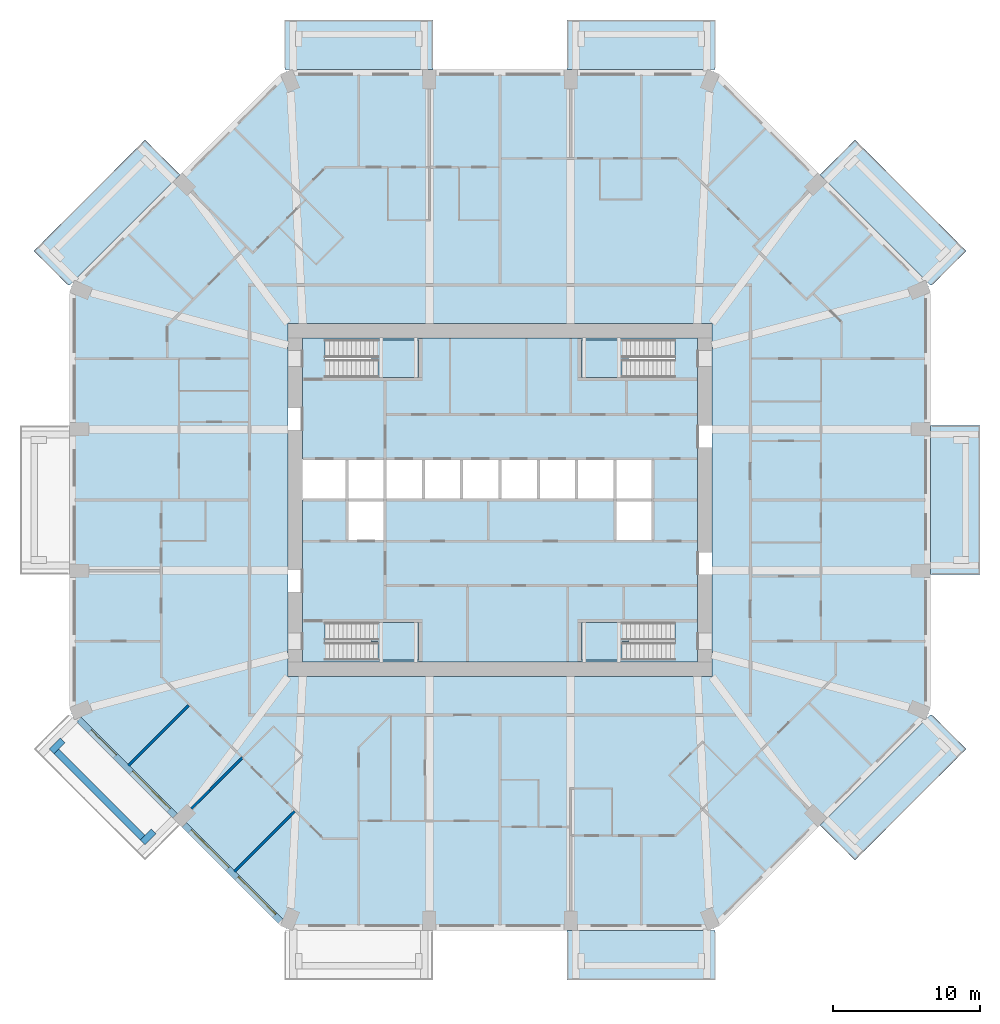
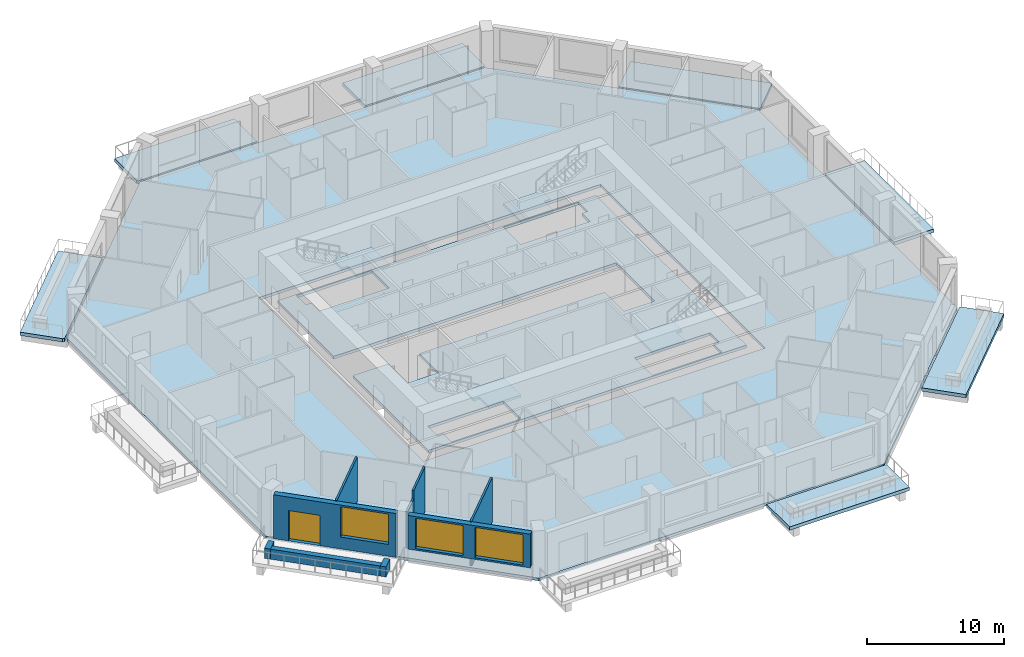
# One storey, part 2 of 13: 13 slabs, 9 walls, 3 windows, 1 door, 4 openings, 4 elements without a shape of their own.
"""IFC4 building model written with IfcOpenShell, lengths in metres."""

from ifc_helpers import new_model, si_unit, direction, frame, frame_2d, origin, place, context, subcontext, project, spatial, polyline, rectangle, outline, extrude, material, layer, layer_set, type_object, element, fill, aggregate, save


model = new_model("IFC4")

# Units and contexts
model_context = context("Model", 3, precision=1e-05, world=origin(), true_north=direction((0.0, 1.0)))
body_context = subcontext(model_context, "Body", "Model", "MODEL_VIEW")
ifc_project = project(units=[si_unit("LENGTHUNIT", "METRE"), si_unit("AREAUNIT", "SQUARE_METRE"), si_unit("VOLUMEUNIT", "CUBIC_METRE"), si_unit("PLANEANGLEUNIT", "RADIAN"), si_unit("MASSUNIT", "GRAM", prefix="KILO")], contexts=[model_context])

# Site, building, storey
site_placement = place(None, origin())
site = spatial("IfcSite", under=ifc_project, at=site_placement, CompositionType="ELEMENT")
building_placement = place(site_placement, origin())
building = spatial("IfcBuilding", under=site, at=building_placement, Name="Msitu Wima Residences", CompositionType="ELEMENT")
storey_placement = place(building_placement, frame((0.0, 0.0, 42.300048828125)))
storey = spatial("IfcBuildingStorey", under=building, at=storey_placement, Name="L09", CompositionType="ELEMENT", Elevation=42.300048828125)

# Slabs
ifc_material_1 = material(Name="Concrete C40/50", Category="concrete")
ifc_layer_1 = layer(ifc_material_1, 0.300048828125)
ifc_layer_set_1 = layer_set([ifc_layer_1], Name="Concrete C40/50")
slab_type_1 = type_object("IfcSlabType", Name="Balcony slab BS300", PredefinedType="FLOOR", material=ifc_layer_set_1)
slab_1_placement = place(storey_placement, frame((0.0, 0.0, -0.300048828125)))
element("IfcSlab", 1, at=slab_1_placement, inside=storey, type_object=slab_type_1, Name="Balcony E1 L09", PredefinedType="FLOOR", context=body_context, shape_type="SweptSolid", body=[
    extrude(outline(polyline([(29.25, -4.35009765625), (29.25, 4.35009765625), (29.25, 5.050048828125), (32.60009765625, 5.050048828125), (32.60009765625, -5.050048828125), (29.25, -5.050048828125), (29.25, -4.35009765625)])), origin(), (0.0, 0.0, 1.0), 0.300048828125),
])
slab_2_placement = place(storey_placement, frame((0.0, 0.0, -0.300048828125)))
element("IfcSlab", 2, at=slab_2_placement, inside=storey, type_object=slab_type_1, Name="Balcony NE0 L09", PredefinedType="FLOOR", context=body_context, shape_type="SweptSolid", body=[
    extrude(outline(polyline([(24.1103515625, 24.4638671875), (31.663818359375, 16.91015625), (29.403564453125, 14.64990234375), (29.25, 14.58642578125), (21.741455078125, 22.094970703125), (24.1103515625, 24.4638671875)])), origin(), (0.0, 0.0, 1.0), 0.300048828125),
])
slab_3_placement = place(storey_placement, frame((0.0, 0.0, -0.300048828125)))
element("IfcSlab", 3, at=slab_3_placement, inside=storey, type_object=slab_type_1, Name="Balcony N0 L09", PredefinedType="FLOOR", context=body_context, shape_type="SweptSolid", body=[
    extrude(outline(polyline([(14.099365234375, 29.25), (14.099365234375, 29.25), (5.25, 29.25), (4.550048828125, 29.25), (4.550048828125, 32.60009765625), (14.64990234375, 32.60009765625), (14.64990234375, 29.403564453125), (14.58642578125, 29.25), (14.099365234375, 29.25), (14.099365234375, 29.25)])), origin(), (0.0, 0.0, 1.0), 0.300048828125),
])
slab_4_placement = place(storey_placement, frame((0.0, 0.0, -0.300048828125)))
element("IfcSlab", 4, at=slab_4_placement, inside=storey, type_object=slab_type_1, Name="Balcony N2 L09", PredefinedType="FLOOR", context=body_context, shape_type="SweptSolid", body=[
    extrude(outline(polyline([(-14.099365234375, 29.25), (-14.099365234375, 29.25), (-14.099365234375, 29.25), (-14.58642578125, 29.25), (-14.64990234375, 29.403564453125), (-14.64990234375, 32.60009765625), (-4.550048828125, 32.60009765625), (-4.550048828125, 29.25), (-5.25, 29.25), (-14.099365234375, 29.25)])), origin(), (0.0, 0.0, 1.0), 0.300048828125),
])
slab_5_placement = place(storey_placement, frame((0.0, 0.0, -0.300048828125)))
element("IfcSlab", 5, at=slab_5_placement, inside=storey, type_object=slab_type_1, Name="Balcony NW1 L09", PredefinedType="FLOOR", context=body_context, shape_type="SweptSolid", body=[
    extrude(outline(polyline([(-31.663818359375, 16.91015625), (-24.1103515625, 24.4638671875), (-21.741455078125, 22.094970703125), (-29.25, 14.58642578125), (-29.403564453125, 14.64990234375), (-31.663818359375, 16.91015625)])), origin(), (0.0, 0.0, 1.0), 0.300048828125),
])
slab_6_placement = place(storey_placement, frame((0.0, 0.0, -0.300048828125)))
element("IfcSlab", 6, at=slab_6_placement, inside=storey, type_object=slab_type_1, Name="Balcony S2 L09", PredefinedType="FLOOR", context=body_context, shape_type="SweptSolid", body=[
    extrude(outline(polyline([(14.099365234375, -29.25), (14.099365234375, -29.25), (14.099365234375, -29.25), (14.58642578125, -29.25), (14.64990234375, -29.403564453125), (14.64990234375, -32.60009765625), (4.550048828125, -32.60009765625), (4.550048828125, -29.25), (5.25, -29.25), (14.099365234375, -29.25)])), origin(), (0.0, 0.0, 1.0), 0.300048828125),
])
slab_7_placement = place(storey_placement, frame((0.0, 0.0, -0.300048828125)))
element("IfcSlab", 7, at=slab_7_placement, inside=storey, type_object=slab_type_1, Name="Balcony SE1 L09", PredefinedType="FLOOR", context=body_context, shape_type="SweptSolid", body=[
    extrude(outline(polyline([(31.663818359375, -16.91015625), (24.1103515625, -24.4638671875), (21.741455078125, -22.094970703125), (29.25, -14.58642578125), (29.403564453125, -14.64990234375), (31.663818359375, -16.91015625)])), origin(), (0.0, 0.0, 1.0), 0.300048828125),
])
ifc_layer_2 = layer(ifc_material_1, 0.25)
ifc_layer_set_2 = layer_set([ifc_layer_2], Name="Concrete C40/50")
slab_type_2 = type_object("IfcSlabType", Name="Core floor CF250", PredefinedType="FLOOR", material=ifc_layer_set_2)
slab_8_placement = place(storey_placement, frame((0.0, 0.0, -0.25)))
element("IfcSlab", 8, at=slab_8_placement, inside=storey, type_object=slab_type_2, Name="Core floor", PredefinedType="FLOOR", context=body_context, shape_type="SweptSolid", body=[
    extrude(outline(polyline([(-13.39990234375, 11.0), (-13.39990234375, 2.800048828125), (-10.39990234375, 2.800048828125), (-7.800048828125, 2.800048828125), (-5.199951171875, 2.800048828125), (-2.60009765625, 2.800048828125), (0.0, 2.800048828125), (2.60009765625, 2.800048828125), (5.199951171875, 2.800048828125), (7.800048828125, 2.800048828125), (10.39990234375, 2.800048828125), (10.39990234375, 0.0), (10.39990234375, -2.800048828125), (7.800048828125, -2.800048828125), (7.800048828125, 0.0), (5.199951171875, 0.0), (2.60009765625, 0.0), (0.0, 0.0), (-2.60009765625, 0.0), (-5.199951171875, 0.0), (-7.800048828125, 0.0), (-7.800048828125, -2.800048828125), (-10.39990234375, -2.800048828125), (-10.39990234375, 0.0), (-13.39990234375, 0.0), (-13.39990234375, -11.0), (13.39990234375, -11.0), (13.39990234375, 11.0), (-13.39990234375, 11.0)]), holes=[polyline([(-11.375, -10.875), (-11.375, -9.675048828125), (-11.87451171875, -9.675048828125), (-11.87451171875, -8.324951171875), (-5.52490234375, -8.324951171875), (-5.52490234375, -10.875), (-11.375, -10.875)]), polyline([(-11.375, 9.52490234375), (-11.87451171875, 9.52490234375), (-11.87451171875, 10.875), (-5.52490234375, 10.875), (-5.52490234375, 8.324951171875), (-11.375, 8.324951171875), (-11.375, 9.52490234375)]), polyline([(11.375, -9.675048828125), (11.375, -10.875), (5.52490234375, -10.875), (5.52490234375, -8.324951171875), (11.87451171875, -8.324951171875), (11.87451171875, -9.675048828125), (11.375, -9.675048828125)]), polyline([(11.375, 9.52490234375), (11.375, 8.324951171875), (5.52490234375, 8.324951171875), (5.52490234375, 10.875), (11.87451171875, 10.875), (11.87451171875, 9.52490234375), (11.375, 9.52490234375)])]), origin(), (0.0, 0.0, 1.0), 0.25),
])
ifc_layer_3 = layer(ifc_material_1, 0.25)
ifc_layer_set_3 = layer_set([ifc_layer_3], Name="Concrete C40/50")
slab_type_3 = type_object("IfcSlabType", Name="PT flat slab 250 Concrete C40/50", PredefinedType="FLOOR", material=ifc_layer_set_3)
slab_9_placement = place(storey_placement, frame((0.0, 0.0, -0.25)))
element("IfcSlab", 9, at=slab_9_placement, inside=storey, type_object=slab_type_3, Name="Floor slab L09", PredefinedType="FLOOR", context=body_context, shape_type="SweptSolid", body=[
    extrude(outline(polyline([(29.10009765625, -14.524169921875), (14.524169921875, -29.10009765625), (-14.524169921875, -29.10009765625), (-29.10009765625, -14.524169921875), (-29.10009765625, 14.524169921875), (-14.524169921875, 29.10009765625), (14.524169921875, 29.10009765625), (29.10009765625, 14.524169921875), (29.10009765625, -14.524169921875)]), holes=[polyline([(-14.39990234375, -12.0), (14.39990234375, -12.0), (14.39990234375, 12.0), (-14.39990234375, 12.0), (-14.39990234375, -12.0)])]), origin(), (0.0, 0.0, 1.0), 0.25),
])

# Stair, slab
stair_type = type_object("IfcStairType", Name="Exit stair ES1615-120", PredefinedType="HALF_TURN_STAIR", material=ifc_material_1)
stair_1_placement = place(storey_placement, origin())
stair_1 = element("IfcStair", 10, at=stair_1_placement, inside=storey, type_object=stair_type, Name="Exit stair 1", PredefinedType="HALF_TURN_STAIR")
ifc_layer_4 = layer(ifc_material_1, 0.199951171875)
ifc_layer_set_4 = layer_set([ifc_layer_4], Name="Concrete C40/50")
slab_type_4 = type_object("IfcSlabType", Name="Stair landing SL200", PredefinedType="LANDING", material=ifc_layer_set_4)
slab_10_placement = place(storey_placement, frame((0.0, 0.0, 1.89990234375)))
slab_10 = element("IfcSlab", 11, at=slab_10_placement, type_object=slab_type_4, Name="S1 landing 1", PredefinedType="LANDING", context=body_context, shape_type="SweptSolid", body=[
    extrude(outline(polyline([(-5.52490234375, 8.324951171875), (-8.275390625, 8.324951171875), (-8.275390625, 9.60009765625), (-8.77490234375, 9.60009765625), (-8.77490234375, 10.875), (-5.52490234375, 10.875), (-5.52490234375, 8.324951171875)])), origin(), (0.0, 0.0, 1.0), 0.199951171875),
])
aggregate(stair_1, [slab_10])

stair_2_placement = place(storey_placement, origin())
stair_2 = element("IfcStair", 12, at=stair_2_placement, inside=storey, type_object=stair_type, Name="Exit stair 2", PredefinedType="HALF_TURN_STAIR")
slab_11_placement = place(storey_placement, frame((0.0, 0.0, 1.89990234375)))
slab_11 = element("IfcSlab", 13, at=slab_11_placement, type_object=slab_type_4, Name="S2 landing 1", PredefinedType="LANDING", context=body_context, shape_type="SweptSolid", body=[
    extrude(outline(polyline([(-5.52490234375, -10.875), (-8.275390625, -10.875), (-8.275390625, -9.60009765625), (-8.77490234375, -9.60009765625), (-8.77490234375, -8.324951171875), (-5.52490234375, -8.324951171875), (-5.52490234375, -10.875)])), origin(), (0.0, 0.0, 1.0), 0.199951171875),
])
aggregate(stair_2, [slab_11])

stair_3_placement = place(storey_placement, origin())
stair_3 = element("IfcStair", 14, at=stair_3_placement, inside=storey, type_object=stair_type, Name="Exit stair 3", PredefinedType="HALF_TURN_STAIR")
slab_12_placement = place(storey_placement, frame((0.0, 0.0, 1.89990234375)))
slab_12 = element("IfcSlab", 15, at=slab_12_placement, type_object=slab_type_4, Name="S3 landing 1", PredefinedType="LANDING", context=body_context, shape_type="SweptSolid", body=[
    extrude(outline(polyline([(5.52490234375, 8.324951171875), (8.275390625, 8.324951171875), (8.275390625, 9.60009765625), (8.77490234375, 9.60009765625), (8.77490234375, 10.875), (5.52490234375, 10.875), (5.52490234375, 8.324951171875)])), origin(), (0.0, 0.0, 1.0), 0.199951171875),
])
aggregate(stair_3, [slab_12])

stair_4_placement = place(storey_placement, origin())
stair_4 = element("IfcStair", 16, at=stair_4_placement, inside=storey, type_object=stair_type, Name="Exit stair 4", PredefinedType="HALF_TURN_STAIR")
slab_13_placement = place(storey_placement, frame((0.0, 0.0, 1.89990234375)))
slab_13 = element("IfcSlab", 17, at=slab_13_placement, type_object=slab_type_4, Name="S4 landing 1", PredefinedType="LANDING", context=body_context, shape_type="SweptSolid", body=[
    extrude(outline(polyline([(5.52490234375, -10.875), (8.275390625, -10.875), (8.275390625, -9.60009765625), (8.77490234375, -9.60009765625), (8.77490234375, -8.324951171875), (5.52490234375, -8.324951171875), (5.52490234375, -10.875)])), origin(), (0.0, 0.0, 1.0), 0.199951171875),
])
aggregate(stair_4, [slab_13])

# Walls
ifc_material_2 = material(Name="Facing brick")
ifc_layer_5 = layer(ifc_material_2, 0.06494140625, Name="Facing brick")
ifc_layer_6 = layer(ifc_material_1, 0.156005859375, Name="Concrete C40/50")
ifc_material_3 = material(Name="Waterproofing membrane")
ifc_layer_7 = layer(ifc_material_3, 0.00390625, Name="Waterproofing membrane")
ifc_material_4 = material(Name="Planting soil and planting")
ifc_layer_8 = layer(ifc_material_4, 0.22509765625, Name="Planting soil and planting")
ifc_layer_set_5 = layer_set([ifc_layer_5, ifc_layer_6, ifc_layer_7, ifc_layer_8], Name="Concrete C40/50")
wall_type_1 = type_object("IfcWallType", Name="Balcony planter PLANTER PL450", PredefinedType="USERDEFINED", material=ifc_layer_set_5)
wall_1_placement = place(storey_placement, frame((-30.125732421875, -17.0693359375, 0.0), z_axis=(0.0, 0.0, 1.0), x_axis=(0.707106781187, -0.707106781187, 0.0)))
element("IfcWall", 18, at=wall_1_placement, inside=storey, type_object=wall_type_1, Name="Balcony planter SW0 L09", ObjectType="PLANTER", PredefinedType="USERDEFINED", context=body_context, shape_type="SweptSolid", body=[
    extrude(rectangle(XDim=8.2822265625, YDim=0.449951171875, at=frame_2d((4.14111328125, 0.0))), origin(), (0.0, 0.0, 1.0), 0.89990234375),
])
for number, where, z_axis, x_axis, name in (
    (19, (-29.70166015625, -16.326904296875, 0.0), (0.0, 0.0, 1.0), (-0.707106781187, -0.707106781187, 0.0), "Balcony planter SW0 L09"),
    (20, (-23.52685546875, -22.50146484375, 0.0), (0.0, 0.0, 1.0), (-0.706990528533, -0.707223014731, 0.0), "Balcony planter SW0 L09"),
):
    element("IfcWall", number, at=place(storey_placement, frame(where, z_axis=z_axis, x_axis=x_axis)), inside=storey, type_object=wall_type_1, Name=name, ObjectType="PLANTER", PredefinedType="USERDEFINED", context=body_context, shape_type="SweptSolid", body=[
        extrude(rectangle(XDim=1.050048828125, YDim=0.449951171875, at=frame_2d((0.52490234375, 0.0))), origin(), (0.0, 0.0, 1.0), 0.89990234375),
    ])

# Wall, openings, door, window
ifc_material_5 = material(Name="Brick (red buff mix)", Category="masonry")
ifc_layer_9 = layer(ifc_material_5, 0.449951171875)
ifc_layer_set_6 = layer_set([ifc_layer_9], Name="Brick (red buff mix)")
wall_type_2 = type_object("IfcWallType", Name="Brick infill wall BW450", PredefinedType="SOLIDWALL", material=ifc_layer_set_6)
wall_2_placement = place(storey_placement, frame((-28.61474609375, -14.903564453125, 0.0), z_axis=(0.0, 0.0, 1.0), x_axis=(0.707106781187, -0.707106781187, 0.0)))
wall_2 = element("IfcWall", 21, at=wall_2_placement, inside=storey, type_object=wall_type_2, Name="Brick infill wall L09 SW0", PredefinedType="SOLIDWALL", context=body_context, shape_type="SweptSolid", body=[
    extrude(rectangle(XDim=9.2451171875, YDim=0.449951171875, at=frame_2d((4.62255859375, 0.0))), origin(), (0.0, 0.0, 1.0), 3.89990234375),
])
opening_1_placement = place(wall_2_placement, frame((1.111328125, 0.0, 0.0)))
opening_1 = element("IfcOpeningElement", 22, at=opening_1_placement, cuts=wall_2, Name="Opening D08-10.009", PredefinedType="OPENING", context=body_context, shape_type="SweptSolid", body=[
    extrude(rectangle(XDim=2.39990234375, YDim=2.699951171875, at=frame_2d((1.199951171875, 1.35009765625))), frame((0.0, 0.23486328125, 0.0), z_axis=(0.0, -1.0, 0.0), x_axis=(1.0, 0.0, 0.0)), (0.0, 0.0, 1.0), 0.469970703125),
])
opening_2_placement = place(wall_2_placement, frame((5.072509765625, 0.0, 1.050048828125)))
opening_2 = element("IfcOpeningElement", 23, at=opening_2_placement, cuts=wall_2, Name="Opening W08-10.023", PredefinedType="OPENING", context=body_context, shape_type="SweptSolid", body=[
    extrude(rectangle(XDim=3.60009765625, YDim=2.699951171875, at=frame_2d((1.800048828125, 1.35009765625))), frame((0.0, 0.23486328125, 0.0), z_axis=(0.0, -1.0, 0.0), x_axis=(1.0, 0.0, 0.0)), (0.0, 0.0, 1.0), 0.469970703125),
])
ifc_material_6 = material(Name="Anodised aluminium, bronze finish, clear low-emissivity double glazing", Category="aluminium")
door_type = type_object("IfcDoorType", Name="Balcony door D2400x2700", OperationType="SLIDING_TO_LEFT", PredefinedType="DOOR", material=ifc_material_6)
door_placement = place(opening_1_placement, origin())
door = element("IfcDoor", 24, at=door_placement, inside=storey, type_object=door_type, Name="Balcony door L09 SW0", OperationType="SINGLE_SWING_LEFT", OverallHeight=2.699951171875, OverallWidth=2.39990234375, PredefinedType="DOOR", context=body_context, shape_type="SweptSolid", body=[
    extrude(rectangle(XDim=2.39990234375, YDim=2.699951171875, at=frame_2d((1.199951171875, 1.35009765625))), frame((0.0, 0.1298828125, 0.0), z_axis=(0.0, -1.0, 0.0), x_axis=(1.0, 0.0, 0.0)), (0.0, 0.0, 1.0), 0.050048828125),
])
fill(opening_1, door)
window_type = type_object("IfcWindowType", Name="Window W3600x2700", PartitioningType="DOUBLE_PANEL_VERTICAL", PredefinedType="WINDOW", material=ifc_material_6)
window_1_placement = place(opening_2_placement, origin())
window_1 = element("IfcWindow", 25, at=window_1_placement, inside=storey, type_object=window_type, Name="Window L09 SW0.2", OverallHeight=2.699951171875, OverallWidth=3.60009765625, PartitioningType="SINGLE_PANEL", PredefinedType="WINDOW", context=body_context, shape_type="SweptSolid", body=[
    extrude(rectangle(XDim=3.60009765625, YDim=2.699951171875, at=frame_2d((1.800048828125, 1.35009765625))), frame((0.0, 0.135009765625, 0.0), z_axis=(0.0, -1.0, 0.0), x_axis=(1.0, 0.0, 0.0)), (0.0, 0.0, 1.0), 0.06005859375),
])
fill(opening_2, window_1)

# Wall, openings, windows
wall_3_placement = place(storey_placement, frame((-21.44091796875, -22.077392578125, 0.89990234375), z_axis=(0.0, 0.0, 1.0), x_axis=(0.707106781187, -0.707106781187, 0.0)))
wall_3 = element("IfcWall", 26, at=wall_3_placement, inside=storey, type_object=wall_type_2, Name="Brick infill wall L09 SW1", PredefinedType="SOLIDWALL", context=body_context, shape_type="SweptSolid", body=[
    extrude(rectangle(XDim=9.2451171875, YDim=0.449951171875, at=frame_2d((4.62255859375, 0.0))), origin(), (0.0, 0.0, 1.0), 3.0),
])
opening_3_placement = place(wall_3_placement, frame((0.572509765625, 0.0, 0.14990234375)))
opening_3 = element("IfcOpeningElement", 27, at=opening_3_placement, cuts=wall_3, Name="Opening W08-10.024", PredefinedType="OPENING", context=body_context, shape_type="SweptSolid", body=[
    extrude(rectangle(XDim=3.60009765625, YDim=2.699951171875, at=frame_2d((1.800048828125, 1.35009765625))), frame((0.0, 0.23486328125, 0.0), z_axis=(0.0, -1.0, 0.0), x_axis=(1.0, 0.0, 0.0)), (0.0, 0.0, 1.0), 0.469970703125),
])
opening_4_placement = place(wall_3_placement, frame((5.072509765625, 0.0, 0.14990234375)))
opening_4 = element("IfcOpeningElement", 28, at=opening_4_placement, cuts=wall_3, Name="Opening W08-10.025", PredefinedType="OPENING", context=body_context, shape_type="SweptSolid", body=[
    extrude(rectangle(XDim=3.60009765625, YDim=2.699951171875, at=frame_2d((1.800048828125, 1.35009765625))), frame((0.0, 0.23486328125, 0.0), z_axis=(0.0, -1.0, 0.0), x_axis=(1.0, 0.0, 0.0)), (0.0, 0.0, 1.0), 0.469970703125),
])
window_2_placement = place(opening_3_placement, origin())
window_2 = element("IfcWindow", 29, at=window_2_placement, inside=storey, type_object=window_type, Name="Window L09 SW1.1", OverallHeight=2.699951171875, OverallWidth=3.60009765625, PartitioningType="SINGLE_PANEL", PredefinedType="WINDOW", context=body_context, shape_type="SweptSolid", body=[
    extrude(rectangle(XDim=3.60009765625, YDim=2.699951171875, at=frame_2d((1.800048828125, 1.35009765625))), frame((0.0, 0.135009765625, 0.0), z_axis=(0.0, -1.0, 0.0), x_axis=(1.0, 0.0, 0.0)), (0.0, 0.0, 1.0), 0.06005859375),
])
fill(opening_3, window_2)
window_3_placement = place(opening_4_placement, origin())
window_3 = element("IfcWindow", 30, at=window_3_placement, inside=storey, type_object=window_type, Name="Window L09 SW1.2", OverallHeight=2.699951171875, OverallWidth=3.60009765625, PartitioningType="SINGLE_PANEL", PredefinedType="WINDOW", context=body_context, shape_type="SweptSolid", body=[
    extrude(rectangle(XDim=3.60009765625, YDim=2.699951171875, at=frame_2d((1.800048828125, 1.35009765625))), frame((0.0, 0.135009765625, 0.0), z_axis=(0.0, -1.0, 0.0), x_axis=(1.0, 0.0, 0.0)), (0.0, 0.0, 1.0), 0.06005859375),
])
fill(opening_4, window_3)

# Walls
ifc_material_7 = material(Name="Plaster")
ifc_layer_10 = layer(ifc_material_7, 0.011962890625, Name="Plaster")
ifc_material_8 = material(Name="Concrete blockwork", Category="masonry")
ifc_layer_11 = layer(ifc_material_8, 0.1259765625, Name="Concrete blockwork")
ifc_layer_12 = layer(ifc_material_7, 0.011962890625, Name="Plaster")
ifc_layer_set_7 = layer_set([ifc_layer_10, ifc_layer_11, ifc_layer_12], Name="Concrete blockwork")
wall_type_3 = type_object("IfcWallType", Name="Partition PW150", PredefinedType="PARTITIONING", material=ifc_layer_set_7)
wall_4_placement = place(storey_placement, frame((-25.23876953125, -18.038818359375, 0.0), z_axis=(0.0, 0.0, 1.0), x_axis=(0.707106781187, 0.707106781187, 0.0)))
element("IfcWall", 31, at=wall_4_placement, inside=storey, type_object=wall_type_3, Name="Partition", PredefinedType="PARTITIONING", context=body_context, shape_type="SweptSolid", body=[
    extrude(rectangle(XDim=5.77978515625, YDim=0.14990234375, at=frame_2d((2.889892578125, 0.0))), origin(), (0.0, 0.0, 1.0), 3.949951171875),
])
wall_5_placement = place(storey_placement, frame((-20.963623046875, -20.963623046875, 0.0), z_axis=(0.0, 0.0, 1.0), x_axis=(0.707106781187, 0.707106781187, 0.0)))
element("IfcWall", 32, at=wall_5_placement, inside=storey, type_object=wall_type_3, Name="Partition", PredefinedType="PARTITIONING", context=body_context, shape_type="SweptSolid", body=[
    extrude(rectangle(XDim=1.74853515625, YDim=0.14990234375, at=frame_2d((0.874267578125, 0.0))), origin(), (0.0, 0.0, 1.0), 3.25),
])
wall_6_placement = place(storey_placement, frame((-19.727294921875, -19.727294921875, 0.0), z_axis=(0.0, 0.0, 1.0), x_axis=(0.707106781187, 0.707106781187, 0.0)))
element("IfcWall", 33, at=wall_6_placement, inside=storey, type_object=wall_type_3, Name="Partition", PredefinedType="PARTITIONING", context=body_context, shape_type="SweptSolid", body=[
    extrude(rectangle(XDim=3.171630859375, YDim=0.14990234375, at=frame_2d((1.5859375, 0.0))), origin(), (0.0, 0.0, 1.0), 3.949951171875),
])
wall_7_placement = place(storey_placement, frame((-18.038818359375, -25.23876953125, 0.0), z_axis=(0.0, 0.0, 1.0), x_axis=(0.707106781187, 0.707106781187, 0.0)))
element("IfcWall", 34, at=wall_7_placement, inside=storey, type_object=wall_type_3, Name="Partition", PredefinedType="PARTITIONING", context=body_context, shape_type="SweptSolid", body=[
    extrude(rectangle(XDim=5.77978515625, YDim=0.14990234375, at=frame_2d((2.889892578125, 0.0))), origin(), (0.0, 0.0, 1.0), 3.949951171875),
])

save(model, "model.ifc")
